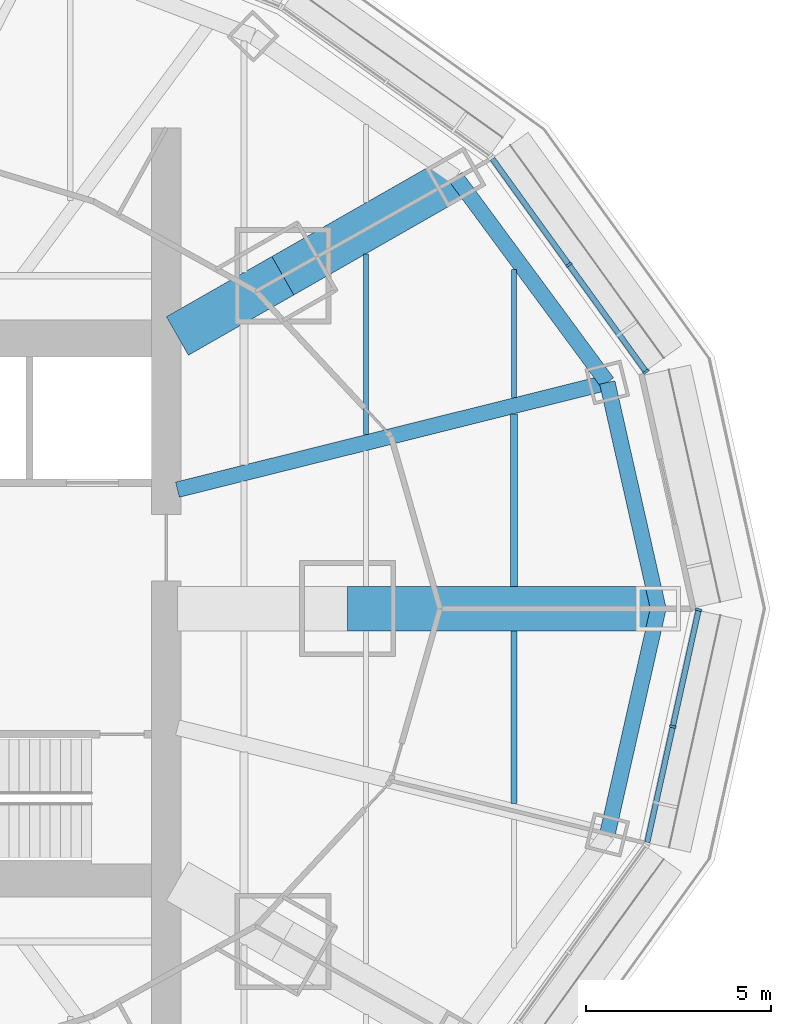
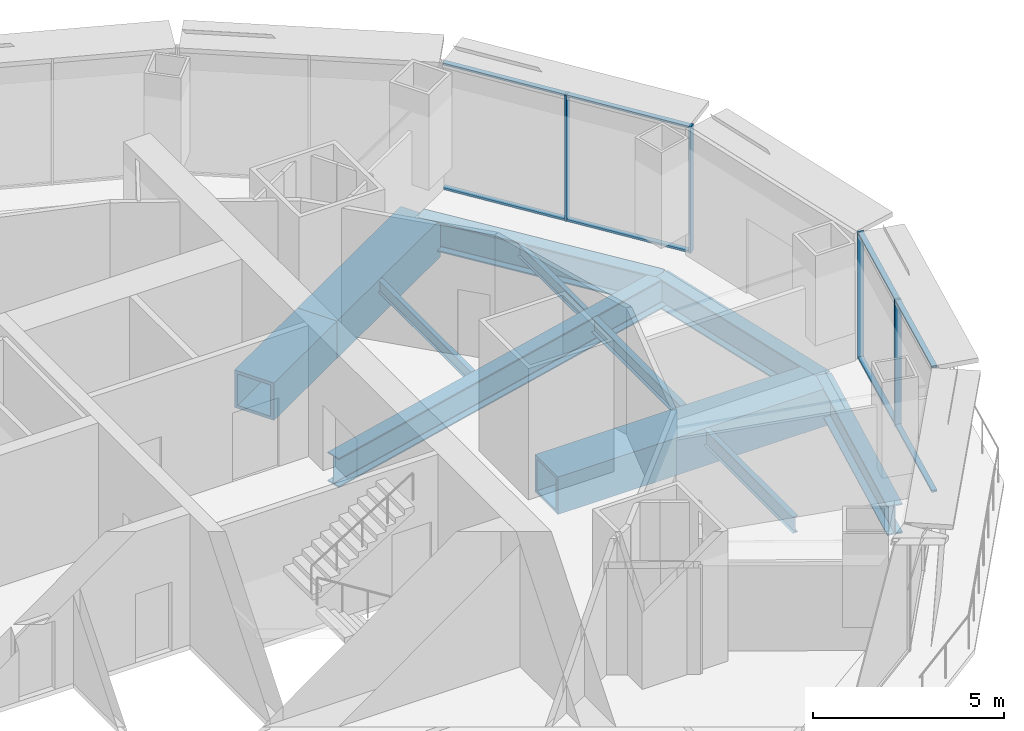
# One storey, part 6 of 17: 12 members, 11 beams, 2 elements without a shape of their own.
"""IFC4 building model written with IfcOpenShell, lengths in metres."""

from ifc_helpers import new_model, si_unit, direction, frame, origin, origin_2d, place, context, subcontext, project, spatial, rectangle, hollow_rectangle, i_section, extrude, material, material_profile, profile_set, type_object, element, aggregate, save


model = new_model("IFC4")

# Units and contexts
model_context = context("Model", 3, precision=1e-05, world=origin(), true_north=direction((0.0, 1.0)))
body_context = subcontext(model_context, "Body", "Model", "MODEL_VIEW")
ifc_project = project(units=[si_unit("LENGTHUNIT", "METRE"), si_unit("AREAUNIT", "SQUARE_METRE"), si_unit("VOLUMEUNIT", "CUBIC_METRE"), si_unit("PLANEANGLEUNIT", "RADIAN"), si_unit("MASSUNIT", "GRAM", prefix="KILO")], contexts=[model_context])

# Site, building, storey
site_placement = place(None, origin())
site = spatial("IfcSite", under=ifc_project, at=site_placement, CompositionType="ELEMENT")
building_placement = place(site_placement, origin())
building = spatial("IfcBuilding", under=site, at=building_placement, Name="Lantaw Convention Tower", CompositionType="ELEMENT")
storey_placement = place(building_placement, frame((0.0, 0.0, 199.0)))
storey = spatial("IfcBuildingStorey", under=building, at=storey_placement, Name="L46", CompositionType="ELEMENT", Elevation=199.0)

# Beams
ifc_material_1 = material(Name="Steel ASTM A992", Category="steel")
ifc_material_profile_1 = material_profile(ifc_material_1, i_section(OverallWidth=0.424072265625, OverallDepth=0.947509765625, WebThickness=0.02392578125, FlangeThickness=0.042724609375, FilletRadius=0.012451171875, at=origin_2d()), Name="W36X302")
ifc_profile_set_1 = profile_set([ifc_material_profile_1], Name="Steel ASTM A992")
beam_type_1 = type_object("IfcBeamType", Name="Beam BC W36X302", PredefinedType="SPANDREL", material=ifc_profile_set_1)
beam_1_placement = place(storey_placement, frame((25.89990234375, 0.0, -0.623779296875), z_axis=(-0.219857926596, 0.97553190215, 0.0), x_axis=(-0.97553190215, -0.219857926596, 0.0)))
element("IfcBeam", 1, at=beam_1_placement, inside=storey, type_object=beam_type_1, Name="Belt truss chord 1", PredefinedType="SPANDREL", context=body_context, shape_type="SweptSolid", body=[
    extrude(i_section(OverallWidth=0.424072265625, OverallDepth=0.947509765625, WebThickness=0.02392578125, FlangeThickness=0.042724609375, FilletRadius=0.012451171875, at=origin_2d()), origin(), (0.0, 0.0, 1.0), 6.267333984375),
])
beam_2_placement = place(storey_placement, frame((24.52197265625, 6.114013671875, -0.623779296875), z_axis=(-0.593639188853, 0.804731329984, 0.0), x_axis=(-0.804731329984, -0.593639188853, 0.0)))
element("IfcBeam", 2, at=beam_2_placement, inside=storey, type_object=beam_type_1, Name="Belt truss chord 2", PredefinedType="SPANDREL", context=body_context, shape_type="SweptSolid", body=[
    extrude(i_section(OverallWidth=0.424072265625, OverallDepth=0.947509765625, WebThickness=0.02392578125, FlangeThickness=0.042724609375, FilletRadius=0.012451171875, at=origin_2d()), origin(), (0.0, 0.0, 1.0), 6.904541015625),
])
beam_3_placement = place(storey_placement, frame((24.52197265625, -6.114013671875, -0.623779296875), z_axis=(0.219857926596, 0.97553190215, 0.0), x_axis=(-0.97553190215, 0.219857926596, 0.0)))
element("IfcBeam", 3, at=beam_3_placement, inside=storey, type_object=beam_type_1, Name="Belt truss chord 24", PredefinedType="SPANDREL", context=body_context, shape_type="SweptSolid", body=[
    extrude(i_section(OverallWidth=0.424072265625, OverallDepth=0.947509765625, WebThickness=0.02392578125, FlangeThickness=0.042724609375, FilletRadius=0.012451171875, at=origin_2d()), origin(), (0.0, 0.0, 1.0), 6.267333984375),
])
ifc_material_2 = material(Name="Steel EN 10025-3 S460N", Category="steel")
ifc_material_profile_2 = material_profile(ifc_material_2, hollow_rectangle(XDim=1.199951171875, YDim=1.199951171875, WallThickness=0.10009765625, at=origin_2d()), Name="BOX1200X100")
ifc_profile_set_2 = profile_set([ifc_material_profile_2], Name="Steel EN 10025-3 S460N")
beam_type_2 = type_object("IfcBeamType", Name="Beam G BOX1200X100", PredefinedType="BEAM", material=ifc_profile_set_2)
beam_4_placement = place(storey_placement, frame((17.5, 0.0, -0.75), z_axis=(1.0, 0.0, 0.0), x_axis=(0.0, 1.0, 0.0)))
element("IfcBeam", 4, at=beam_4_placement, inside=storey, type_object=beam_type_2, Name="Floor girder on ray 1", PredefinedType="BEAM", context=body_context, shape_type="SweptSolid", body=[
    extrude(hollow_rectangle(XDim=1.199951171875, YDim=1.199951171875, WallThickness=0.10009765625, at=origin_2d()), origin(), (0.0, 0.0, 1.0), 8.39990234375),
])
beam_5_placement = place(storey_placement, frame((15.75, 9.0, -0.75), z_axis=(0.868237559289, 0.496148708192, 0.0), x_axis=(-0.496148708192, 0.868237559289, 0.0)))
element("IfcBeam", 5, at=beam_5_placement, inside=storey, type_object=beam_type_2, Name="Floor girder on ray 3", PredefinedType="BEAM", context=body_context, shape_type="SweptSolid", body=[
    extrude(hollow_rectangle(XDim=1.199951171875, YDim=1.199951171875, WallThickness=0.10009765625, at=origin_2d()), origin(), (0.0, 0.0, 1.0), 5.38232421875),
])
ifc_material_profile_3 = material_profile(ifc_material_1, i_section(OverallWidth=0.421630859375, OverallDepth=0.937255859375, WebThickness=0.0224609375, FlangeThickness=0.039794921875, FilletRadius=0.02001953125, at=origin_2d()), Name="W36X282")
ifc_profile_set_3 = profile_set([ifc_material_profile_3], Name="Steel ASTM A992")
beam_type_3 = type_object("IfcBeamType", Name="Beam G W36X282", PredefinedType="BEAM", material=ifc_profile_set_3)
beam_6_placement = place(storey_placement, frame((12.89990234375, 3.21630859375, -0.61865234375), z_axis=(0.970295775305, 0.241921698956, 0.0), x_axis=(-0.241921698956, 0.970295775305, 0.0)))
element("IfcBeam", 6, at=beam_6_placement, inside=storey, type_object=beam_type_3, Name="Floor girder on ray 2", PredefinedType="BEAM", context=body_context, shape_type="SweptSolid", body=[
    extrude(i_section(OverallWidth=0.421630859375, OverallDepth=0.937255859375, WebThickness=0.0224609375, FlangeThickness=0.039794921875, FilletRadius=0.02001953125, at=origin_2d()), origin(), (0.0, 0.0, 1.0), 11.977783203125),
])
ifc_material_profile_4 = material_profile(ifc_material_1, i_section(OverallWidth=0.140380859375, OverallDepth=0.40380859375, WebThickness=0.007080078125, FlangeThickness=0.01123046875, FilletRadius=0.01025390625, at=origin_2d()), Name="W16X31")
ifc_profile_set_4 = profile_set([ifc_material_profile_4], Name="Steel ASTM A992")
beam_type_4 = type_object("IfcBeamType", Name="Beam J W16X31", PredefinedType="JOIST", material=ifc_profile_set_4)
beam_7_placement = place(storey_placement, frame((18.0, 4.705078125, -0.35205078125), z_axis=(0.0, 1.0, 0.0), x_axis=(-1.0, 0.0, 0.0)))
element("IfcBeam", 7, at=beam_7_placement, inside=storey, type_object=beam_type_4, Name="Floor joist", PredefinedType="JOIST", context=body_context, shape_type="SweptSolid", body=[
    extrude(i_section(OverallWidth=0.140380859375, OverallDepth=0.40380859375, WebThickness=0.007080078125, FlangeThickness=0.01123046875, FilletRadius=0.01025390625, at=origin_2d()), origin(), (0.0, 0.0, 1.0), 4.8896484375),
])
beam_8_placement = place(storey_placement, frame((22.0, 5.702392578125, -0.35205078125), z_axis=(0.0, 1.0, 0.0), x_axis=(-1.0, 0.0, 0.0)))
element("IfcBeam", 8, at=beam_8_placement, inside=storey, type_object=beam_type_4, Name="Floor joist", PredefinedType="JOIST", context=body_context, shape_type="SweptSolid", body=[
    extrude(i_section(OverallWidth=0.140380859375, OverallDepth=0.40380859375, WebThickness=0.007080078125, FlangeThickness=0.01123046875, FilletRadius=0.01025390625, at=origin_2d()), origin(), (0.0, 0.0, 1.0), 3.47314453125),
])
ifc_material_profile_5 = material_profile(ifc_material_1, i_section(OverallWidth=0.1904296875, OverallDepth=0.457275390625, WebThickness=0.009033203125, FlangeThickness=0.014404296875, FilletRadius=0.01025390625, at=origin_2d()), Name="W18X50")
ifc_profile_set_5 = profile_set([ifc_material_profile_5], Name="Steel ASTM A992")
beam_type_5 = type_object("IfcBeamType", Name="Beam J W18X50", PredefinedType="JOIST", material=ifc_profile_set_5)
beam_9_placement = place(storey_placement, frame((22.0, 0.60009765625, -0.378662109375), z_axis=(0.0, 1.0, 0.0), x_axis=(-1.0, 0.0, 0.0)))
element("IfcBeam", 9, at=beam_9_placement, inside=storey, type_object=beam_type_5, Name="Floor joist", PredefinedType="JOIST", context=body_context, shape_type="SweptSolid", body=[
    extrude(i_section(OverallWidth=0.1904296875, OverallDepth=0.457275390625, WebThickness=0.009033203125, FlangeThickness=0.014404296875, FilletRadius=0.01025390625, at=origin_2d()), origin(), (0.0, 0.0, 1.0), 4.667724609375),
])
ifc_material_profile_6 = material_profile(ifc_material_1, i_section(OverallWidth=0.1650390625, OverallDepth=0.52587890625, WebThickness=0.0087890625, FlangeThickness=0.011474609375, FilletRadius=0.0126953125, at=origin_2d()), Name="W21X44")
ifc_profile_set_6 = profile_set([ifc_material_profile_6], Name="Steel ASTM A992")
beam_type_6 = type_object("IfcBeamType", Name="Beam J W21X44", PredefinedType="JOIST", material=ifc_profile_set_6)
beam_10_placement = place(storey_placement, frame((22.0, -5.267822265625, -0.412841796875), z_axis=(0.0, 1.0, 0.0), x_axis=(-1.0, 0.0, 0.0)))
element("IfcBeam", 10, at=beam_10_placement, inside=storey, type_object=beam_type_6, Name="Floor joist", PredefinedType="JOIST", context=body_context, shape_type="SweptSolid", body=[
    extrude(i_section(OverallWidth=0.1650390625, OverallDepth=0.52587890625, WebThickness=0.0087890625, FlangeThickness=0.011474609375, FilletRadius=0.0126953125, at=origin_2d()), origin(), (0.0, 0.0, 1.0), 4.667724609375),
])
ifc_material_profile_7 = material_profile(ifc_material_2, hollow_rectangle(XDim=1.199951171875, YDim=1.199951171875, WallThickness=0.10009765625, at=origin_2d()), Name="BOX1200X100")
ifc_profile_set_7 = profile_set([ifc_material_profile_7], Name="Steel EN 10025-3 S460N")
beam_type_7 = type_object("IfcBeamType", Name="Beam OC BOX1200X100", PredefinedType="BEAM", material=ifc_profile_set_7)
beam_11_placement = place(storey_placement, frame((12.89990234375, 7.371337890625, -0.75), z_axis=(0.868238565244, 0.496146947811, 0.0), x_axis=(-0.496146947811, 0.868238565244, 0.0)))
element("IfcBeam", 11, at=beam_11_placement, inside=storey, type_object=beam_type_7, Name="Outrigger chord on ray 3", PredefinedType="BEAM", context=body_context, shape_type="SweptSolid", body=[
    extrude(hollow_rectangle(XDim=1.199951171875, YDim=1.199951171875, WallThickness=0.10009765625, at=origin_2d()), origin(), (0.0, 0.0, 1.0), 3.28271484375),
])

# Curtain wall, members
ifc_material_3 = material(Name="Aluminium framed curtain wall", Category="aluminium")
curtain_wall_type = type_object("IfcCurtainWallType", Name="Office curtain wall high rise, pale aluminium", PredefinedType="USERDEFINED", material=ifc_material_3)
curtain_wall_1_placement = place(storey_placement, origin())
curtain_wall_1 = element("IfcCurtainWall", 12, at=curtain_wall_1_placement, inside=storey, type_object=curtain_wall_type, Name="Office curtain wall high rise, pale aluminium L46", ObjectType="UNITISED CURTAIN WALL", PredefinedType="USERDEFINED")
ifc_material_4 = material(Name="Aluminium 6063-T6", Category="aluminium")
ifc_material_profile_8 = material_profile(ifc_material_4, rectangle(XDim=0.179931640625, YDim=0.06494140625, at=origin_2d()), Name="CW-O2 mullion 65x180")
ifc_profile_set_8 = profile_set([ifc_material_profile_8], Name="Aluminium 6063-T6")
member_type_1 = type_object("IfcMemberType", Name="CW-O2 mullion 65x180", PredefinedType="MULLION", material=ifc_profile_set_8)
member_1_placement = place(storey_placement, frame((25.5703125, 6.406494140625, 0.0), z_axis=(0.0, 0.0, 1.0), x_axis=(-0.810919559405, -0.585157643865, 0.0)))
member_1 = element("IfcMember", 13, at=member_1_placement, type_object=member_type_1, Name="CW-O2 mullion 1", PredefinedType="MULLION", context=body_context, shape_type="SweptSolid", body=[
    extrude(rectangle(XDim=0.179931640625, YDim=0.06494140625, at=origin_2d()), origin(), (0.0, 0.0, 1.0), 4.050048828125),
])
member_2_placement = place(storey_placement, frame((23.483642578125, 9.298095703125, 0.0), z_axis=(0.0, 0.0, 1.0), x_axis=(-0.810919559405, -0.585157643865, 0.0)))
member_2 = element("IfcMember", 14, at=member_2_placement, type_object=member_type_1, Name="CW-O2 mullion 2", PredefinedType="MULLION", context=body_context, shape_type="SweptSolid", body=[
    extrude(rectangle(XDim=0.179931640625, YDim=0.06494140625, at=origin_2d()), origin(), (0.0, 0.0, 1.0), 4.050048828125),
])

curtain_wall_2_placement = place(storey_placement, origin())
curtain_wall_2 = element("IfcCurtainWall", 15, at=curtain_wall_2_placement, inside=storey, type_object=curtain_wall_type, Name="Office curtain wall high rise, pale aluminium L46", ObjectType="UNITISED CURTAIN WALL", PredefinedType="USERDEFINED")
member_3_placement = place(storey_placement, frame((26.294677734375, -3.190185546875, 0.0), z_axis=(0.0, 0.0, 1.0), x_axis=(-0.976417396437, 0.215891333626, 0.0)))
member_3 = element("IfcMember", 16, at=member_3_placement, type_object=member_type_1, Name="CW-O2 mullion 2", PredefinedType="MULLION", context=body_context, shape_type="SweptSolid", body=[
    extrude(rectangle(XDim=0.179931640625, YDim=0.06494140625, at=origin_2d()), origin(), (0.0, 0.0, 1.0), 4.050048828125),
])
member_4_placement = place(storey_placement, frame((26.992919921875, -0.03173828125, 0.0), z_axis=(0.0, 0.0, 1.0), x_axis=(-0.976417396437, 0.215891333626, 0.0)))
member_4 = element("IfcMember", 17, at=member_4_placement, type_object=member_type_1, Name="CW-O2 mullion 3", PredefinedType="MULLION", context=body_context, shape_type="SweptSolid", body=[
    extrude(rectangle(XDim=0.179931640625, YDim=0.06494140625, at=origin_2d()), origin(), (0.0, 0.0, 1.0), 4.050048828125),
])

# Member
ifc_material_profile_9 = material_profile(ifc_material_4, rectangle(XDim=0.14990234375, YDim=0.06494140625, at=origin_2d()), Name="CW-O2 transom 65x150")
ifc_profile_set_9 = profile_set([ifc_material_profile_9], Name="Aluminium 6063-T6")
member_type_2 = type_object("IfcMemberType", Name="CW-O2 transom 65x150", PredefinedType="USERDEFINED", material=ifc_profile_set_9)
member_5_placement = place(storey_placement, frame((25.55126953125, 6.432861328125, 0.032470703125), z_axis=(-0.585169685931, 0.810910869743, 0.0), x_axis=(-0.810910869743, -0.585169685931, 0.0)))
member_5 = element("IfcMember", 18, at=member_5_placement, type_object=member_type_2, Name="CW-O2 transom 1.1", ObjectType="TRANSOM", PredefinedType="USERDEFINED", context=body_context, shape_type="SweptSolid", body=[
    extrude(rectangle(XDim=0.14990234375, YDim=0.06494140625, at=origin_2d()), origin(), (0.0, 0.0, 1.0), 3.500732421875),
])

member_6_placement = place(storey_placement, frame((25.55126953125, 6.432861328125, 4.017578125), z_axis=(-0.585169685931, 0.810910869743, 0.0), x_axis=(-0.810910869743, -0.585169685931, 0.0)))
member_6 = element("IfcMember", 19, at=member_6_placement, type_object=member_type_2, Name="CW-O2 transom 1.2", ObjectType="TRANSOM", PredefinedType="USERDEFINED", context=body_context, shape_type="SweptSolid", body=[
    extrude(rectangle(XDim=0.14990234375, YDim=0.06494140625, at=origin_2d()), origin(), (0.0, 0.0, 1.0), 3.500732421875),
])

member_7_placement = place(storey_placement, frame((23.464599609375, 9.324462890625, 0.032470703125), z_axis=(-0.585123825205, 0.810943961798, 0.0), x_axis=(-0.810943961798, -0.585123825205, 0.0)))
member_7 = element("IfcMember", 20, at=member_7_placement, type_object=member_type_2, Name="CW-O2 transom 2.1", ObjectType="TRANSOM", PredefinedType="USERDEFINED", context=body_context, shape_type="SweptSolid", body=[
    extrude(rectangle(XDim=0.14990234375, YDim=0.06494140625, at=origin_2d()), origin(), (0.0, 0.0, 1.0), 3.500732421875),
])

member_8_placement = place(storey_placement, frame((23.464599609375, 9.324462890625, 4.017578125), z_axis=(-0.585123825205, 0.810943961798, 0.0), x_axis=(-0.810943961798, -0.585123825205, 0.0)))
member_8 = element("IfcMember", 21, at=member_8_placement, type_object=member_type_2, Name="CW-O2 transom 2.2", ObjectType="TRANSOM", PredefinedType="USERDEFINED", context=body_context, shape_type="SweptSolid", body=[
    extrude(rectangle(XDim=0.14990234375, YDim=0.06494140625, at=origin_2d()), origin(), (0.0, 0.0, 1.0), 3.500732421875),
])

aggregate(curtain_wall_1, [member_1, member_2, member_5, member_6, member_7, member_8])

member_9_placement = place(storey_placement, frame((25.603271484375, -6.316650390625, 0.032470703125), z_axis=(0.215894607042, 0.976416672661, 0.0), x_axis=(-0.976416672661, 0.215894607042, 0.0)))
member_9 = element("IfcMember", 22, at=member_9_placement, type_object=member_type_2, Name="CW-O2 transom 1.1", ObjectType="TRANSOM", PredefinedType="USERDEFINED", context=body_context, shape_type="SweptSolid", body=[
    extrude(rectangle(XDim=0.14990234375, YDim=0.06494140625, at=origin_2d()), origin(), (0.0, 0.0, 1.0), 3.169677734375),
])

member_10_placement = place(storey_placement, frame((25.603271484375, -6.316650390625, 4.017578125), z_axis=(0.215894607042, 0.976416672661, 0.0), x_axis=(-0.976416672661, 0.215894607042, 0.0)))
member_10 = element("IfcMember", 23, at=member_10_placement, type_object=member_type_2, Name="CW-O2 transom 1.2", ObjectType="TRANSOM", PredefinedType="USERDEFINED", context=body_context, shape_type="SweptSolid", body=[
    extrude(rectangle(XDim=0.14990234375, YDim=0.06494140625, at=origin_2d()), origin(), (0.0, 0.0, 1.0), 3.169677734375),
])

member_11_placement = place(storey_placement, frame((26.3017578125, -3.158447265625, 0.032470703125), z_axis=(0.215894607042, 0.976416672661, 0.0), x_axis=(-0.976416672661, 0.215894607042, 0.0)))
member_11 = element("IfcMember", 24, at=member_11_placement, type_object=member_type_2, Name="CW-O2 transom 2.1", ObjectType="TRANSOM", PredefinedType="USERDEFINED", context=body_context, shape_type="SweptSolid", body=[
    extrude(rectangle(XDim=0.14990234375, YDim=0.06494140625, at=origin_2d()), origin(), (0.0, 0.0, 1.0), 3.169677734375),
])

member_12_placement = place(storey_placement, frame((26.3017578125, -3.158447265625, 4.017578125), z_axis=(0.215894607042, 0.976416672661, 0.0), x_axis=(-0.976416672661, 0.215894607042, 0.0)))
member_12 = element("IfcMember", 25, at=member_12_placement, type_object=member_type_2, Name="CW-O2 transom 2.2", ObjectType="TRANSOM", PredefinedType="USERDEFINED", context=body_context, shape_type="SweptSolid", body=[
    extrude(rectangle(XDim=0.14990234375, YDim=0.06494140625, at=origin_2d()), origin(), (0.0, 0.0, 1.0), 3.169677734375),
])

aggregate(curtain_wall_2, [member_3, member_4, member_9, member_10, member_11, member_12])

save(model, "model.ifc")
